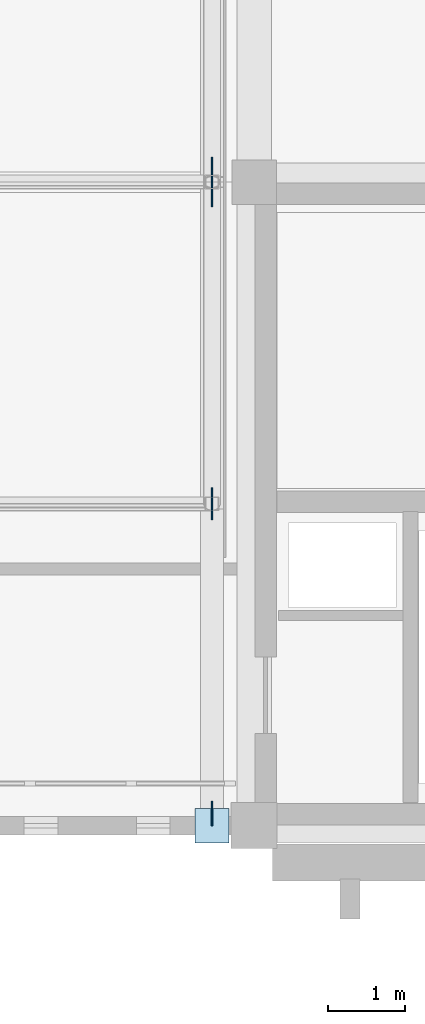
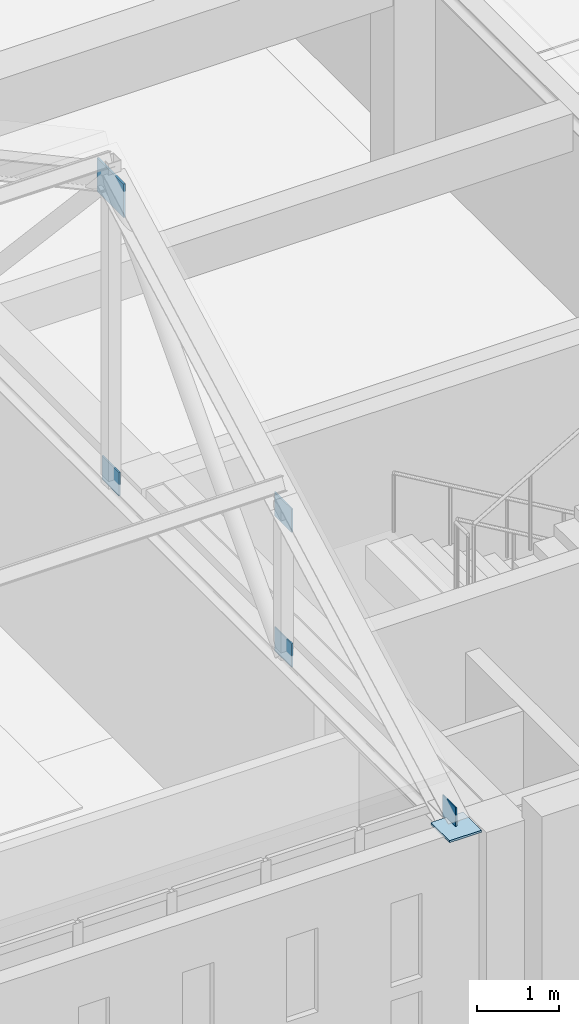
# One storey, part 77 of 110: 6 plates.
"""IFC4 building model written with IfcOpenShell, lengths in metres."""

from ifc_helpers import new_model, si_unit, direction, frame, origin, origin_2d, place, context, subcontext, project, spatial, rectangle, extrude, material, layer, layer_set, type_object, element, save


model = new_model("IFC4")

# Units and contexts
model_context = context("Model", 3, precision=1e-05, world=origin(), true_north=direction((0.0, 1.0)))
body_context = subcontext(model_context, "Body", "Model", "MODEL_VIEW")
ifc_project = project(units=[si_unit("LENGTHUNIT", "METRE"), si_unit("AREAUNIT", "SQUARE_METRE"), si_unit("VOLUMEUNIT", "CUBIC_METRE"), si_unit("PLANEANGLEUNIT", "RADIAN"), si_unit("MASSUNIT", "GRAM", prefix="KILO")], contexts=[model_context])

# Site, building, storey
site_placement = place(None, origin())
site = spatial("IfcSite", under=ifc_project, at=site_placement, CompositionType="ELEMENT")
building_placement = place(site_placement, origin())
building = spatial("IfcBuilding", under=site, at=building_placement, Name="Kveldsbrygga Polytechnic", CompositionType="ELEMENT")
storey_placement = place(building_placement, frame((0.0, 0.0, 9.860107421875)))
storey = spatial("IfcBuildingStorey", under=building, at=storey_placement, Name="L02", CompositionType="ELEMENT", Elevation=9.860107421875)

# Plates
ifc_material = material(Name="Steel S355", Category="steel")
ifc_layer_1 = layer(ifc_material, 0.030029296875)
ifc_layer_set_1 = layer_set([ifc_layer_1], Name="Steel S355")
plate_type_1 = type_object("IfcPlateType", Name="CAP-BEAR-450", PredefinedType="SHEET", material=ifc_layer_set_1)
plate_1_placement = place(storey_placement, frame((100.25, 84.0, 3.75), z_axis=(0.0, 0.0, 1.0), x_axis=(1.0, 0.0, 0.0)))
element("IfcPlate", 1, at=plate_1_placement, inside=storey, type_object=plate_type_1, Name="Truss Bearing Plate V2L1-T08-A", PredefinedType="SHEET", context=body_context, shape_type="SweptSolid", body=[
    extrude(rectangle(XDim=0.449951171875, YDim=0.449951171875, at=origin_2d()), origin(), (0.0, 0.0, 1.0), 0.030029296875),
])
ifc_layer_2 = layer(ifc_material, 0.02490234375)
ifc_layer_set_2 = layer_set([ifc_layer_2], Name="Steel S355")
plate_type_2 = type_object("IfcPlateType", Name="GUS-APEX-650", PredefinedType="SHEET", material=ifc_layer_set_2)
plate_2_placement = place(storey_placement, frame((100.25, 92.39990234375, 7.929931640625), z_axis=(0.0, 0.0, 1.0), x_axis=(1.0, 0.0, 0.0)))
element("IfcPlate", 2, at=plate_2_placement, inside=storey, type_object=plate_type_2, Name="Truss Gusset Plate V2L1-T08-GP-2", PredefinedType="SHEET", context=body_context, shape_type="SweptSolid", body=[
    extrude(rectangle(XDim=0.02490234375, YDim=0.64990234375, at=origin_2d()), origin(), (0.0, 0.0, 1.0), 0.5),
])
ifc_layer_3 = layer(ifc_material, 0.01806640625)
ifc_layer_set_3 = layer_set([ifc_layer_3], Name="Steel S355")
plate_type_3 = type_object("IfcPlateType", Name="GUS-BRACE-320", PredefinedType="SHEET", material=ifc_layer_set_3)
plate_3_placement = place(storey_placement, frame((100.25, 84.159912109375, 3.73974609375), z_axis=(0.0, 0.0, 1.0), x_axis=(1.0, 0.0, 0.0)))
element("IfcPlate", 3, at=plate_3_placement, inside=storey, type_object=plate_type_3, Name="Truss Eaves Node Gusset V2L1-T08-EGP-A", PredefinedType="SHEET", context=body_context, shape_type="SweptSolid", body=[
    extrude(rectangle(XDim=0.01806640625, YDim=0.320068359375, at=origin_2d()), origin(), (0.0, 0.0, 1.0), 0.320068359375),
])
ifc_layer_4 = layer(ifc_material, 0.02001953125)
ifc_layer_set_4 = layer_set([ifc_layer_4], Name="Steel S355")
plate_type_4 = type_object("IfcPlateType", Name="GUS-LECT-420", PredefinedType="SHEET", material=ifc_layer_set_4)
for number, where, z_axis, x_axis, name in (
    (4, (100.25, 88.199951171875, 5.729736328125), (0.0, 0.0, 1.0), (1.0, 0.0, 0.0), "Truss Gusset Plate V2L1-T08-GP-1"),
    (5, (100.25, 88.199951171875, 3.724853515625), (0.0, 0.0, 1.0), (1.0, 0.0, 0.0), "Truss Bottom-Chord Node Gusset V2L1-T08-BGP-1"),
    (6, (100.25, 92.39990234375, 3.724853515625), (0.0, 0.0, 1.0), (1.0, 0.0, 0.0), "Truss Bottom-Chord Node Gusset V2L1-T08-BGP-2"),
):
    element("IfcPlate", number, at=place(storey_placement, frame(where, z_axis=z_axis, x_axis=x_axis)), inside=storey, type_object=plate_type_4, Name=name, PredefinedType="SHEET", context=body_context, shape_type="SweptSolid", body=[
        extrude(rectangle(XDim=0.02001953125, YDim=0.419921875, at=origin_2d()), origin(), (0.0, 0.0, 1.0), 0.35009765625),
    ])

save(model, "model.ifc")
